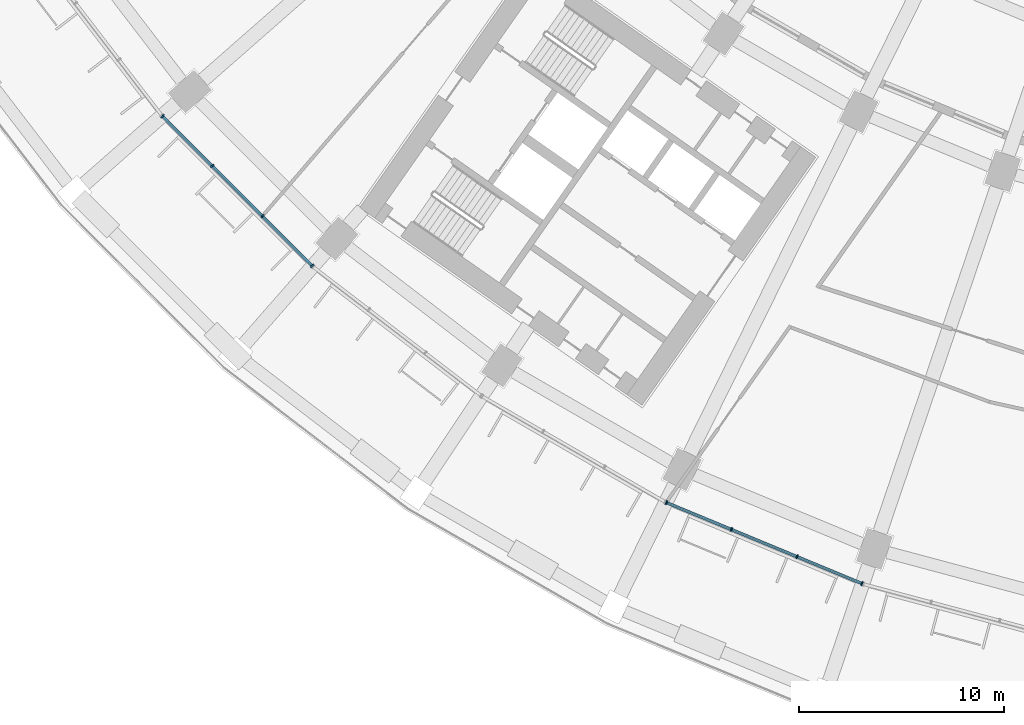
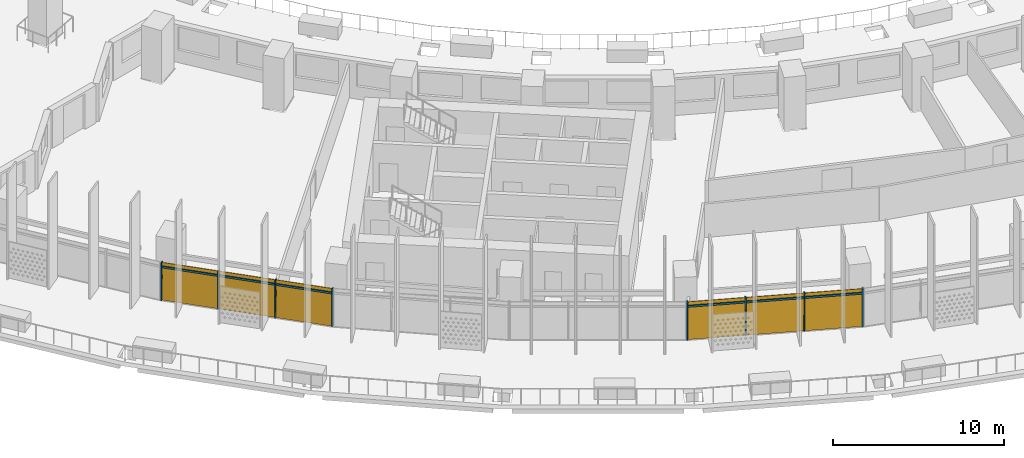
# One storey, part 18 of 35: 14 members, 2 curtain walls.
"""IFC4 building model written with IfcOpenShell, lengths in metres."""

from ifc_helpers import new_model, si_unit, direction, frame, origin, origin_2d, place, context, subcontext, project, spatial, rectangle, extrude, material, material_profile, profile_set, type_object, element, aggregate, save


model = new_model("IFC4")

# Units and contexts
model_context = context("Model", 3, precision=1e-05, world=origin(), true_north=direction((0.0, 1.0)))
body_context = subcontext(model_context, "Body", "Model", "MODEL_VIEW")
ifc_project = project(units=[si_unit("LENGTHUNIT", "METRE"), si_unit("AREAUNIT", "SQUARE_METRE"), si_unit("VOLUMEUNIT", "CUBIC_METRE"), si_unit("PLANEANGLEUNIT", "RADIAN"), si_unit("MASSUNIT", "GRAM", prefix="KILO")], contexts=[model_context])

# Member
ifc_material = material(Name="Aluminium 6063-T6 anodised", Category="aluminium")
ifc_material_profile_1 = material_profile(ifc_material, rectangle(XDim=0.199951171875, YDim=0.070068359375, at=origin_2d()))
ifc_profile_set_1 = profile_set([ifc_material_profile_1], Name="Aluminium 6063-T6 anodised")
member_type_1 = type_object("IfcMemberType", Name="Mullion 70 x 200 aluminium", PredefinedType="MULLION", material=ifc_profile_set_1)
site_placement = place(None, origin())
building_placement = place(site_placement, origin())
storey_placement = place(building_placement, frame((0.0, 0.0, 40.5)))
member_1_placement = place(storey_placement, frame((-59.78857421875, -52.470947265625, 0.0), z_axis=(0.0, 0.0, 1.0), x_axis=(0.707106781187, 0.707106781187, 0.0)))
member_1 = element("IfcMember", 1, at=member_1_placement, type_object=member_type_1, Name="e-cw1-L06-out02/M00", PredefinedType="MULLION", context=body_context, shape_type="SweptSolid", body=[
    extrude(rectangle(XDim=0.199951171875, YDim=0.070068359375, at=origin_2d()), origin(), (0.0, 0.0, 1.0), 2.699951171875),
])

member_2_placement = place(storey_placement, frame((-57.357666015625, -54.90185546875, 0.0), z_axis=(0.0, 0.0, 1.0), x_axis=(0.707106781187, 0.707106781187, 0.0)))
member_2 = element("IfcMember", 2, at=member_2_placement, type_object=member_type_1, Name="e-cw1-L06-out02/M01", PredefinedType="MULLION", context=body_context, shape_type="SweptSolid", body=[
    extrude(rectangle(XDim=0.199951171875, YDim=0.070068359375, at=origin_2d()), origin(), (0.0, 0.0, 1.0), 2.699951171875),
])

member_3_placement = place(storey_placement, frame((-54.90185546875, -57.357666015625, 0.0), z_axis=(0.0, 0.0, 1.0), x_axis=(0.707106781187, 0.707106781187, 0.0)))
member_3 = element("IfcMember", 3, at=member_3_placement, type_object=member_type_1, Name="e-cw1-L06-out02/M02", PredefinedType="MULLION", context=body_context, shape_type="SweptSolid", body=[
    extrude(rectangle(XDim=0.199951171875, YDim=0.070068359375, at=origin_2d()), origin(), (0.0, 0.0, 1.0), 2.699951171875),
])

member_4_placement = place(storey_placement, frame((-52.470947265625, -59.78857421875, 0.0), z_axis=(0.0, 0.0, 1.0), x_axis=(0.707106781187, 0.707106781187, 0.0)))
member_4 = element("IfcMember", 4, at=member_4_placement, type_object=member_type_1, Name="e-cw1-L06-out02/M03", PredefinedType="MULLION", context=body_context, shape_type="SweptSolid", body=[
    extrude(rectangle(XDim=0.199951171875, YDim=0.070068359375, at=origin_2d()), origin(), (0.0, 0.0, 1.0), 2.699951171875),
])

member_5_placement = place(storey_placement, frame((-35.15771484375, -71.35693359375, 0.0), z_axis=(0.0, 0.0, 1.0), x_axis=(0.382683432365, 0.923879532511, 0.0)))
member_5 = element("IfcMember", 5, at=member_5_placement, type_object=member_type_1, Name="e-cw1-L06-out05/M00", PredefinedType="MULLION", context=body_context, shape_type="SweptSolid", body=[
    extrude(rectangle(XDim=0.199951171875, YDim=0.070068359375, at=origin_2d()), origin(), (0.0, 0.0, 1.0), 2.699951171875),
])

member_6_placement = place(storey_placement, frame((-31.9814453125, -72.672607421875, 0.0), z_axis=(0.0, 0.0, 1.0), x_axis=(0.382683432365, 0.923879532511, 0.0)))
member_6 = element("IfcMember", 6, at=member_6_placement, type_object=member_type_1, Name="e-cw1-L06-out05/M01", PredefinedType="MULLION", context=body_context, shape_type="SweptSolid", body=[
    extrude(rectangle(XDim=0.199951171875, YDim=0.070068359375, at=origin_2d()), origin(), (0.0, 0.0, 1.0), 2.699951171875),
])

member_7_placement = place(storey_placement, frame((-28.77294921875, -74.00146484375, 0.0), z_axis=(0.0, 0.0, 1.0), x_axis=(0.382683432365, 0.923879532511, 0.0)))
member_7 = element("IfcMember", 7, at=member_7_placement, type_object=member_type_1, Name="e-cw1-L06-out05/M02", PredefinedType="MULLION", context=body_context, shape_type="SweptSolid", body=[
    extrude(rectangle(XDim=0.199951171875, YDim=0.070068359375, at=origin_2d()), origin(), (0.0, 0.0, 1.0), 2.699951171875),
])

member_8_placement = place(storey_placement, frame((-25.5966796875, -75.317138671875, 0.0), z_axis=(0.0, 0.0, 1.0), x_axis=(0.382683432365, 0.923879532511, 0.0)))
member_8 = element("IfcMember", 8, at=member_8_placement, type_object=member_type_1, Name="e-cw1-L06-out05/M03", PredefinedType="MULLION", context=body_context, shape_type="SweptSolid", body=[
    extrude(rectangle(XDim=0.199951171875, YDim=0.070068359375, at=origin_2d()), origin(), (0.0, 0.0, 1.0), 2.699951171875),
])

ifc_material_profile_2 = material_profile(ifc_material, rectangle(XDim=0.139892578125, YDim=0.1201171875, at=origin_2d()))
ifc_profile_set_2 = profile_set([ifc_material_profile_2], Name="Aluminium 6063-T6 anodised")
member_type_2 = type_object("IfcMemberType", Name="Transom 120 x 140 aluminium", PredefinedType="USERDEFINED", material=ifc_profile_set_2)
member_9_placement = place(storey_placement, frame((-59.763916015625, -52.49560546875, 2.39990234375), z_axis=(0.707106781187, -0.707106781187, 0.0), x_axis=(0.707106781187, 0.707106781187, 0.0)))
member_9 = element("IfcMember", 9, at=member_9_placement, type_object=member_type_2, Name="e-cw1-L06-out02/T00", ObjectType="TRANSOM", PredefinedType="USERDEFINED", context=body_context, shape_type="SweptSolid", body=[
    extrude(rectangle(XDim=0.139892578125, YDim=0.1201171875, at=origin_2d()), origin(), (0.0, 0.0, 1.0), 3.3681640625),
])

member_10_placement = place(storey_placement, frame((-57.332763671875, -54.9267578125, 2.39990234375), z_axis=(0.707106781187, -0.707106781187, 0.0), x_axis=(0.707106781187, 0.707106781187, 0.0)))
member_10 = element("IfcMember", 10, at=member_10_placement, type_object=member_type_2, Name="e-cw1-L06-out02/T01", ObjectType="TRANSOM", PredefinedType="USERDEFINED", context=body_context, shape_type="SweptSolid", body=[
    extrude(rectangle(XDim=0.139892578125, YDim=0.1201171875, at=origin_2d()), origin(), (0.0, 0.0, 1.0), 3.402587890625),
])

member_11_placement = place(storey_placement, frame((-54.877197265625, -57.38232421875, 2.39990234375), z_axis=(0.707106781187, -0.707106781187, 0.0), x_axis=(0.707106781187, 0.707106781187, 0.0)))
member_11 = element("IfcMember", 11, at=member_11_placement, type_object=member_type_2, Name="e-cw1-L06-out02/T02", ObjectType="TRANSOM", PredefinedType="USERDEFINED", context=body_context, shape_type="SweptSolid", body=[
    extrude(rectangle(XDim=0.139892578125, YDim=0.1201171875, at=origin_2d()), origin(), (0.0, 0.0, 1.0), 3.3681640625),
])

member_12_placement = place(storey_placement, frame((-35.125244140625, -71.370361328125, 2.39990234375), z_axis=(0.923872807855, -0.382699666719, 0.0), x_axis=(0.382699666719, 0.923872807855, 0.0)))
member_12 = element("IfcMember", 12, at=member_12_placement, type_object=member_type_2, Name="e-cw1-L06-out05/T00", ObjectType="TRANSOM", PredefinedType="USERDEFINED", context=body_context, shape_type="SweptSolid", body=[
    extrude(rectangle(XDim=0.139892578125, YDim=0.1201171875, at=origin_2d()), origin(), (0.0, 0.0, 1.0), 3.36767578125),
])

member_13_placement = place(storey_placement, frame((-31.94921875, -72.68603515625, 2.39990234375), z_axis=(0.92388567708, -0.382668597728, 0.0), x_axis=(0.382668597728, 0.92388567708, 0.0)))
member_13 = element("IfcMember", 13, at=member_13_placement, type_object=member_type_2, Name="e-cw1-L06-out05/T01", ObjectType="TRANSOM", PredefinedType="USERDEFINED", context=body_context, shape_type="SweptSolid", body=[
    extrude(rectangle(XDim=0.139892578125, YDim=0.1201171875, at=origin_2d()), origin(), (0.0, 0.0, 1.0), 3.403076171875),
])

member_14_placement = place(storey_placement, frame((-28.740478515625, -74.014892578125, 2.39990234375), z_axis=(0.923872807855, -0.382699666719, 0.0), x_axis=(0.382699666719, 0.923872807855, 0.0)))
member_14 = element("IfcMember", 14, at=member_14_placement, type_object=member_type_2, Name="e-cw1-L06-out05/T02", ObjectType="TRANSOM", PredefinedType="USERDEFINED", context=body_context, shape_type="SweptSolid", body=[
    extrude(rectangle(XDim=0.139892578125, YDim=0.1201171875, at=origin_2d()), origin(), (0.0, 0.0, 1.0), 3.36767578125),
])

# Site, building, storey
site = spatial("IfcSite", under=ifc_project, at=site_placement, CompositionType="ELEMENT")
building = spatial("IfcBuilding", under=site, at=building_placement, Name="Qamariyya Broadcast Tower", CompositionType="ELEMENT")
storey = spatial("IfcBuildingStorey", under=building, at=storey_placement, Name="L06", CompositionType="ELEMENT", Elevation=40.5)

# Curtain wall
curtain_wall_type = type_object("IfcCurtainWallType", Name="Unitised curtain wall, anodised aluminium", PredefinedType="NOTDEFINED", material=ifc_material)
curtain_wall_1_placement = place(storey_placement, origin())
curtain_wall_1 = element("IfcCurtainWall", 15, at=curtain_wall_1_placement, inside=storey, type_object=curtain_wall_type, Name="e-cw1-L06-out02", PredefinedType="NOTDEFINED", context=body_context, shape_type="SweptSolid", body=[
    extrude(rectangle(XDim=3.367919921875, YDim=0.031982421875, at=origin_2d()), frame((-58.572998046875, -53.6865234375, 0.0), x_axis=(0.707106781187, -0.707106781187, 0.0)), (0.0, 0.0, 1.0), 2.340087890625),
    extrude(rectangle(XDim=3.367919921875, YDim=0.031982421875, at=origin_2d()), frame((-58.572998046875, -53.6865234375, 2.4599609375), x_axis=(0.707106781187, -0.707106781187, 0.0)), (0.0, 0.0, 1.0), 0.239990234375),
    extrude(rectangle(XDim=3.40283203125, YDim=0.031982421875, at=origin_2d()), frame((-56.1298828125, -56.1298828125, 0.0), x_axis=(0.707106781187, -0.707106781187, 0.0)), (0.0, 0.0, 1.0), 2.340087890625),
    extrude(rectangle(XDim=3.40283203125, YDim=0.031982421875, at=origin_2d()), frame((-56.1298828125, -56.1298828125, 2.4599609375), x_axis=(0.707106781187, -0.707106781187, 0.0)), (0.0, 0.0, 1.0), 0.239990234375),
    extrude(rectangle(XDim=3.367919921875, YDim=0.031982421875, at=origin_2d()), frame((-53.6865234375, -58.572998046875, 0.0), x_axis=(0.707106781187, -0.707106781187, 0.0)), (0.0, 0.0, 1.0), 2.340087890625),
    extrude(rectangle(XDim=3.367919921875, YDim=0.031982421875, at=origin_2d()), frame((-53.6865234375, -58.572998046875, 2.4599609375), x_axis=(0.707106781187, -0.707106781187, 0.0)), (0.0, 0.0, 1.0), 0.239990234375),
])

aggregate(curtain_wall_1, [member_1, member_2, member_3, member_4, member_9, member_10, member_11])

curtain_wall_2_placement = place(storey_placement, origin())
curtain_wall_2 = element("IfcCurtainWall", 16, at=curtain_wall_2_placement, inside=storey, type_object=curtain_wall_type, Name="e-cw1-L06-out05", PredefinedType="NOTDEFINED", context=body_context, shape_type="SweptSolid", body=[
    extrude(rectangle(XDim=3.367919921875, YDim=0.031982421875, at=origin_2d()), frame((-33.569580078125, -72.0146484375, 0.0), x_axis=(0.92387774222, -0.382687754482, 0.0)), (0.0, 0.0, 1.0), 2.340087890625),
    extrude(rectangle(XDim=3.367919921875, YDim=0.031982421875, at=origin_2d()), frame((-33.569580078125, -72.0146484375, 2.4599609375), x_axis=(0.92387774222, -0.382687754482, 0.0)), (0.0, 0.0, 1.0), 0.239990234375),
    extrude(rectangle(XDim=3.40283203125, YDim=0.031982421875, at=origin_2d()), frame((-30.377197265625, -73.3369140625, 0.0), x_axis=(0.92387774222, -0.382687754482, 0.0)), (0.0, 0.0, 1.0), 2.340087890625),
    extrude(rectangle(XDim=3.40283203125, YDim=0.031982421875, at=origin_2d()), frame((-30.377197265625, -73.3369140625, 2.4599609375), x_axis=(0.92387774222, -0.382687754482, 0.0)), (0.0, 0.0, 1.0), 0.239990234375),
    extrude(rectangle(XDim=3.367919921875, YDim=0.031982421875, at=origin_2d()), frame((-27.184814453125, -74.659423828125, 0.0), x_axis=(0.92387774222, -0.382687754482, 0.0)), (0.0, 0.0, 1.0), 2.340087890625),
    extrude(rectangle(XDim=3.367919921875, YDim=0.031982421875, at=origin_2d()), frame((-27.184814453125, -74.659423828125, 2.4599609375), x_axis=(0.92387774222, -0.382687754482, 0.0)), (0.0, 0.0, 1.0), 0.239990234375),
])

aggregate(curtain_wall_2, [member_5, member_6, member_7, member_8, member_12, member_13, member_14])

save(model, "model.ifc")
